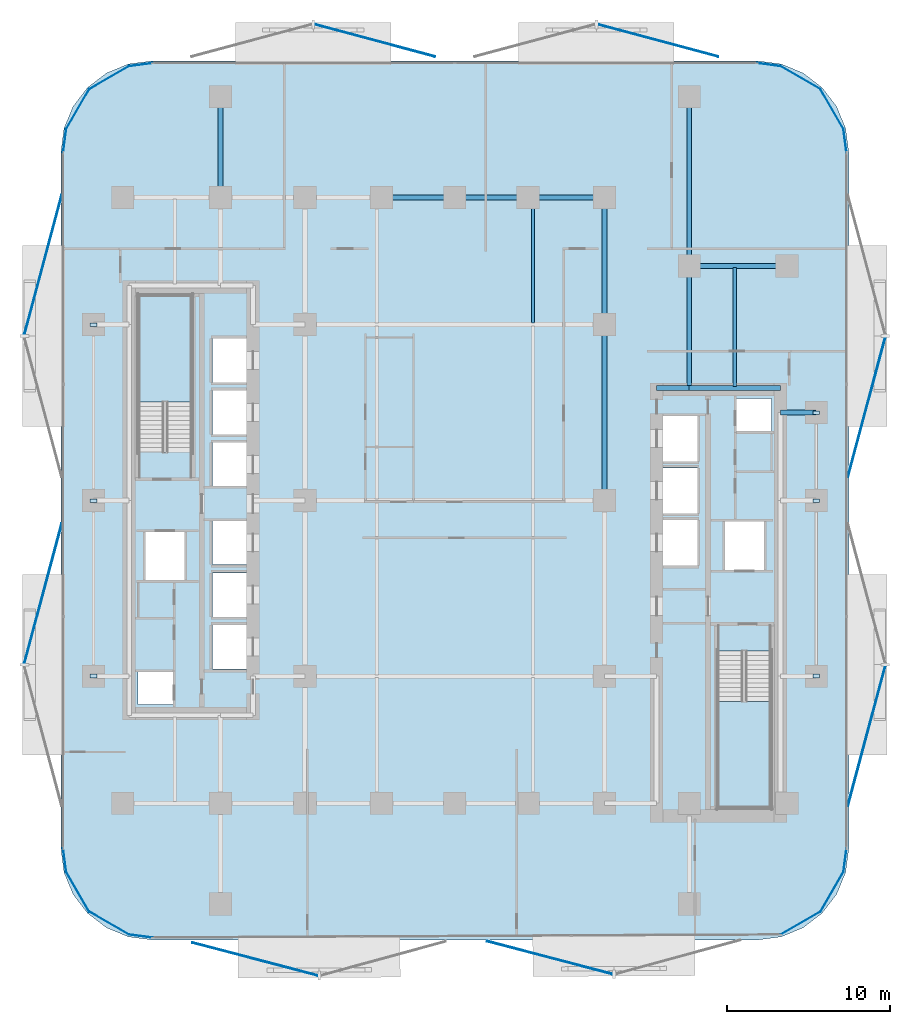
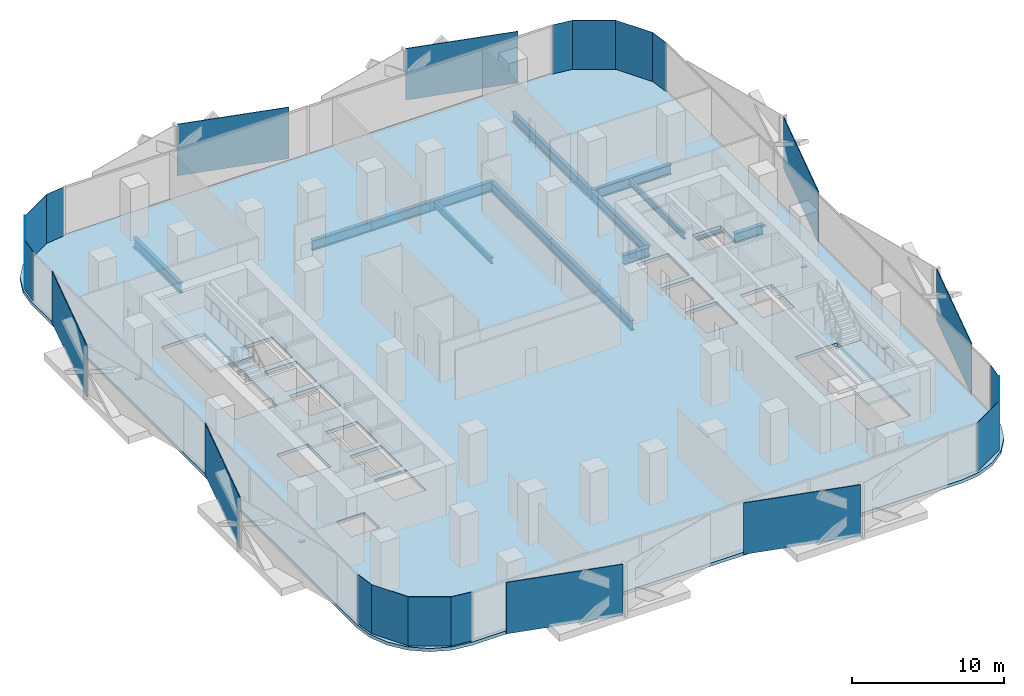
# One storey, part 2 of 16: 29 plates, 14 beams, 3 slabs, 2 elements without a shape of their own.
"""IFC4 building model written with IfcOpenShell, lengths in metres."""

from ifc_helpers import new_model, si_unit, direction, frame, origin, origin_2d, place, context, subcontext, project, spatial, polyline, rectangle, i_section, outline, extrude, material, layer, layer_set, material_profile, profile_set, type_object, element, aggregate, save


model = new_model("IFC4")

# Units and contexts
model_context = context("Model", 3, precision=1e-05, world=origin(), true_north=direction((0.0, 1.0)))
body_context = subcontext(model_context, "Body", "Model", "MODEL_VIEW")
ifc_project = project(units=[si_unit("LENGTHUNIT", "METRE"), si_unit("AREAUNIT", "SQUARE_METRE"), si_unit("VOLUMEUNIT", "CUBIC_METRE"), si_unit("PLANEANGLEUNIT", "RADIAN"), si_unit("MASSUNIT", "GRAM", prefix="KILO")], contexts=[model_context])

# Site, building, storey
site_placement = place(None, origin())
site = spatial("IfcSite", under=ifc_project, at=site_placement, CompositionType="ELEMENT")
building_placement = place(site_placement, origin())
building = spatial("IfcBuilding", under=site, at=building_placement, Name="Khairoan Windgate Tower", CompositionType="ELEMENT")
storey_placement = place(building_placement, frame((0.0, 0.0, 55.39990234375)))
storey = spatial("IfcBuildingStorey", under=building, at=storey_placement, Name="L13", CompositionType="ELEMENT", Elevation=55.39990234375)

# Beams
ifc_material_1 = material(Name="Steel S355", Category="steel")
ifc_material_profile_1 = material_profile(ifc_material_1, i_section(OverallWidth=0.300048828125, OverallDepth=0.800048828125, WebThickness=0.013916015625, FlangeThickness=0.02587890625, FilletRadius=0.028076171875, at=origin_2d()))
ifc_profile_set_1 = profile_set([ifc_material_profile_1], Name="Steel S355")
beam_type_1 = type_object("IfcBeamType", Name="Beam B-G2 H800x300x14x26", PredefinedType="BEAM", material=ifc_profile_set_1)
beam_1_placement = place(storey_placement, frame((20.0, 5.39990234375, -0.659912109375), z_axis=(1.0, 0.0, 0.0), x_axis=(0.0, 1.0, 0.0)))
element("IfcBeam", 1, at=beam_1_placement, inside=storey, type_object=beam_type_1, Name="L13 E-W Primary Girder 19", PredefinedType="BEAM", context=body_context, shape_type="SweptSolid", body=[
    extrude(i_section(OverallWidth=0.300048828125, OverallDepth=0.800048828125, WebThickness=0.013916015625, FlangeThickness=0.02587890625, FilletRadius=0.028076171875, at=origin_2d()), origin(), (0.0, 0.0, 1.0), 2.199951171875),
])
beam_2_placement = place(storey_placement, frame((12.39990234375, 6.89990234375, -0.659912109375), z_axis=(1.0, 0.0, 0.0), x_axis=(0.0, 1.0, 0.0)))
element("IfcBeam", 2, at=beam_2_placement, inside=storey, type_object=beam_type_1, Name="L13 E-W Primary Girder 20", PredefinedType="BEAM", context=body_context, shape_type="SweptSolid", body=[
    extrude(i_section(OverallWidth=0.300048828125, OverallDepth=0.800048828125, WebThickness=0.013916015625, FlangeThickness=0.02587890625, FilletRadius=0.028076171875, at=origin_2d()), origin(), (0.0, 0.0, 1.0), 2.0),
])
beam_3_placement = place(storey_placement, frame((14.39990234375, 6.89990234375, -0.659912109375), z_axis=(1.0, 0.0, 0.0), x_axis=(0.0, 1.0, 0.0)))
element("IfcBeam", 3, at=beam_3_placement, inside=storey, type_object=beam_type_1, Name="L13 E-W Primary Girder 21", PredefinedType="BEAM", context=body_context, shape_type="SweptSolid", body=[
    extrude(i_section(OverallWidth=0.300048828125, OverallDepth=0.800048828125, WebThickness=0.013916015625, FlangeThickness=0.02587890625, FilletRadius=0.028076171875, at=origin_2d()), origin(), (0.0, 0.0, 1.0), 5.60009765625),
])
beam_4_placement = place(storey_placement, frame((14.39990234375, 14.39990234375, -0.659912109375), z_axis=(1.0, 0.0, 0.0), x_axis=(0.0, 1.0, 0.0)))
element("IfcBeam", 4, at=beam_4_placement, inside=storey, type_object=beam_type_1, Name="L13 E-W Primary Girder 27", PredefinedType="BEAM", context=body_context, shape_type="SweptSolid", body=[
    extrude(i_section(OverallWidth=0.300048828125, OverallDepth=0.800048828125, WebThickness=0.013916015625, FlangeThickness=0.02587890625, FilletRadius=0.028076171875, at=origin_2d()), origin(), (0.0, 0.0, 1.0), 6.0),
])
for number, where, z_axis, x_axis, name in (
    (5, (-4.5, 18.60009765625, -0.659912109375), (1.0, 0.0, 0.0), (0.0, 1.0, 0.0), "L13 E-W Primary Girder 31"),
    (6, (0.0, 18.60009765625, -0.659912109375), (1.0, 0.0, 0.0), (0.0, 1.0, 0.0), "L13 E-W Primary Girder 32"),
):
    element("IfcBeam", number, at=place(storey_placement, frame(where, z_axis=z_axis, x_axis=x_axis)), inside=storey, type_object=beam_type_1, Name=name, PredefinedType="BEAM", context=body_context, shape_type="SweptSolid", body=[
        extrude(i_section(OverallWidth=0.300048828125, OverallDepth=0.800048828125, WebThickness=0.013916015625, FlangeThickness=0.02587890625, FilletRadius=0.028076171875, at=origin_2d()), origin(), (0.0, 0.0, 1.0), 4.5),
    ])
beam_5_placement = place(storey_placement, frame((4.5, 18.60009765625, -0.659912109375), z_axis=(1.0, 0.0, 0.0), x_axis=(0.0, 1.0, 0.0)))
element("IfcBeam", 7, at=beam_5_placement, inside=storey, type_object=beam_type_1, Name="L13 E-W Primary Girder 33", PredefinedType="BEAM", context=body_context, shape_type="SweptSolid", body=[
    extrude(i_section(OverallWidth=0.300048828125, OverallDepth=0.800048828125, WebThickness=0.013916015625, FlangeThickness=0.02587890625, FilletRadius=0.028076171875, at=origin_2d()), origin(), (0.0, 0.0, 1.0), 4.699951171875),
])
beam_6_placement = place(storey_placement, frame((-14.39990234375, 18.60009765625, -0.659912109375), z_axis=(0.0, 1.0, 0.0), x_axis=(-1.0, 0.0, 0.0)))
element("IfcBeam", 8, at=beam_6_placement, inside=storey, type_object=beam_type_1, Name="L13 N-S Primary Beam 43", PredefinedType="BEAM", context=body_context, shape_type="SweptSolid", body=[
    extrude(i_section(OverallWidth=0.300048828125, OverallDepth=0.800048828125, WebThickness=0.013916015625, FlangeThickness=0.02587890625, FilletRadius=0.028076171875, at=origin_2d()), origin(), (0.0, 0.0, 1.0), 6.199951171875),
])
beam_7_placement = place(storey_placement, frame((9.199951171875, 0.0, -0.659912109375), z_axis=(0.0, 1.0, 0.0), x_axis=(-1.0, 0.0, 0.0)))
element("IfcBeam", 9, at=beam_7_placement, inside=storey, type_object=beam_type_1, Name="L13 N-S Primary Beam 52", PredefinedType="BEAM", context=body_context, shape_type="SweptSolid", body=[
    extrude(i_section(OverallWidth=0.300048828125, OverallDepth=0.800048828125, WebThickness=0.013916015625, FlangeThickness=0.02587890625, FilletRadius=0.028076171875, at=origin_2d()), origin(), (0.0, 0.0, 1.0), 10.800048828125),
])
beam_8_placement = place(storey_placement, frame((9.199951171875, 10.800048828125, -0.659912109375), z_axis=(0.0, 1.0, 0.0), x_axis=(-1.0, 0.0, 0.0)))
element("IfcBeam", 10, at=beam_8_placement, inside=storey, type_object=beam_type_1, Name="L13 N-S Primary Beam 53", PredefinedType="BEAM", context=body_context, shape_type="SweptSolid", body=[
    extrude(i_section(OverallWidth=0.300048828125, OverallDepth=0.800048828125, WebThickness=0.013916015625, FlangeThickness=0.02587890625, FilletRadius=0.028076171875, at=origin_2d()), origin(), (0.0, 0.0, 1.0), 7.800048828125),
])
beam_9_placement = place(storey_placement, frame((14.39990234375, 6.89990234375, -0.659912109375), z_axis=(0.0, 1.0, 0.0), x_axis=(-1.0, 0.0, 0.0)))
element("IfcBeam", 11, at=beam_9_placement, inside=storey, type_object=beam_type_1, Name="L13 N-S Primary Beam 56", PredefinedType="BEAM", context=body_context, shape_type="SweptSolid", body=[
    extrude(i_section(OverallWidth=0.300048828125, OverallDepth=0.800048828125, WebThickness=0.013916015625, FlangeThickness=0.02587890625, FilletRadius=0.028076171875, at=origin_2d()), origin(), (0.0, 0.0, 1.0), 7.5),
])
beam_10_placement = place(storey_placement, frame((14.39990234375, 14.39990234375, -0.659912109375), z_axis=(0.0, 1.0, 0.0), x_axis=(-1.0, 0.0, 0.0)))
element("IfcBeam", 12, at=beam_10_placement, inside=storey, type_object=beam_type_1, Name="L13 N-S Primary Beam 57", PredefinedType="BEAM", context=body_context, shape_type="SweptSolid", body=[
    extrude(i_section(OverallWidth=0.300048828125, OverallDepth=0.800048828125, WebThickness=0.013916015625, FlangeThickness=0.02587890625, FilletRadius=0.028076171875, at=origin_2d()), origin(), (0.0, 0.0, 1.0), 10.400146484375),
])
ifc_material_2 = material(Name="Steel S355", Category="steel")
ifc_material_profile_2 = material_profile(ifc_material_2, i_section(OverallWidth=0.199951171875, OverallDepth=0.5, WebThickness=0.010009765625, FlangeThickness=0.01611328125, FilletRadius=0.02001953125, at=origin_2d()))
ifc_profile_set_2 = profile_set([ifc_material_profile_2], Name="Steel S355")
beam_type_2 = type_object("IfcBeamType", Name="Beam J-S2 H500x200x10x16", PredefinedType="JOIST", material=ifc_profile_set_2)
beam_11_placement = place(storey_placement, frame((4.800048828125, 10.889892578125, -0.510009765625), z_axis=(0.0, 1.0, 0.0), x_axis=(-1.0, 0.0, 0.0)))
element("IfcBeam", 13, at=beam_11_placement, inside=storey, type_object=beam_type_2, Name="L13 Secondary Floor Joist 10", PredefinedType="JOIST", context=body_context, shape_type="SweptSolid", body=[
    extrude(i_section(OverallWidth=0.199951171875, OverallDepth=0.5, WebThickness=0.010009765625, FlangeThickness=0.01611328125, FilletRadius=0.02001953125, at=origin_2d()), origin(), (0.0, 0.0, 1.0), 7.6201171875),
])
beam_12_placement = place(storey_placement, frame((17.199951171875, 6.989990234375, -0.510009765625), z_axis=(0.0, 1.0, 0.0), x_axis=(-1.0, 0.0, 0.0)))
element("IfcBeam", 14, at=beam_12_placement, inside=storey, type_object=beam_type_2, Name="L13 Secondary Floor Joist 11", PredefinedType="JOIST", context=body_context, shape_type="SweptSolid", body=[
    extrude(i_section(OverallWidth=0.199951171875, OverallDepth=0.5, WebThickness=0.010009765625, FlangeThickness=0.01611328125, FilletRadius=0.02001953125, at=origin_2d()), origin(), (0.0, 0.0, 1.0), 7.320068359375),
])

# Plates
ifc_material_3 = material(Name="Low-E Solar Control Laminated Glass", Category="glass")
ifc_layer_1 = layer(ifc_material_3, 0.030029296875, Name="Low-E Solar Control Laminated Glass")
ifc_layer_set_1 = layer_set([ifc_layer_1], Name="Low-E Solar Control Laminated Glass")
plate_type_1 = type_object("IfcPlateType", Name="Aerodynamic Wind-Corner Curved Glazing Plate", PredefinedType="USERDEFINED", material=ifc_layer_set_1)
plate_placement = place(storey_placement, frame((-19.302001953125, -26.766357421875, 0.000244140625), z_axis=(0.0, 0.0, 1.0), x_axis=(-0.991444861374, 0.13052619222, 0.0)))
element("IfcPlate", 15, at=plate_placement, inside=storey, type_object=plate_type_1, Name="L13 Aerodynamic Wind-Corner Curved Glazing Panel 2", ObjectType="GLAZING PANEL", PredefinedType="USERDEFINED", context=body_context, shape_type="SweptSolid", body=[
    extrude(rectangle(XDim=1.474365234375, YDim=0.028076171875, at=origin_2d()), origin(), (0.0, 0.0, 1.0), 3.93994140625),
])
for number, where, z_axis, x_axis, name in (
    (16, (-21.236328125, -25.96630859375, 0.000244140625), (0.0, 0.0, 1.0), (-0.866025403784, 0.5, 0.0), "L13 Aerodynamic Wind-Corner Curved Glazing Panel 3"),
    (17, (-23.16650390625, -24.03662109375, 0.000244140625), (0.0, 0.0, 1.0), (-0.5, 0.866025403784, 0.0), "L13 Aerodynamic Wind-Corner Curved Glazing Panel 4"),
):
    element("IfcPlate", number, at=place(storey_placement, frame(where, z_axis=z_axis, x_axis=x_axis)), inside=storey, type_object=plate_type_1, Name=name, ObjectType="GLAZING PANEL", PredefinedType="USERDEFINED", context=body_context, shape_type="SweptSolid", body=[
        extrude(rectangle(XDim=2.86572265625, YDim=0.028076171875, at=origin_2d()), origin(), (0.0, 0.0, 1.0), 3.93994140625),
    ])
for number, where, z_axis, x_axis, name in (
    (18, (-23.96630859375, -22.101806640625, 0.000244140625), (0.0, 0.0, 1.0), (-0.13052619222, 0.991444861374, 0.0), "L13 Aerodynamic Wind-Corner Curved Glazing Panel 5"),
    (19, (-23.96630859375, 22.101806640625, 0.000244140625), (0.0, 0.0, 1.0), (0.13052619222, 0.991444861374, 0.0), "L13 Aerodynamic Wind-Corner Curved Glazing Panel 7"),
):
    element("IfcPlate", number, at=place(storey_placement, frame(where, z_axis=z_axis, x_axis=x_axis)), inside=storey, type_object=plate_type_1, Name=name, ObjectType="GLAZING PANEL", PredefinedType="USERDEFINED", context=body_context, shape_type="SweptSolid", body=[
        extrude(rectangle(XDim=1.474365234375, YDim=0.028076171875, at=origin_2d()), origin(), (0.0, 0.0, 1.0), 3.93994140625),
    ])
for number, where, z_axis, x_axis, name in (
    (20, (-23.16650390625, 24.03662109375, 0.000244140625), (0.0, 0.0, 1.0), (0.5, 0.866025403784, 0.0), "L13 Aerodynamic Wind-Corner Curved Glazing Panel 8"),
    (21, (-21.236328125, 25.96630859375, 0.000244140625), (0.0, 0.0, 1.0), (0.866025403784, 0.5, 0.0), "L13 Aerodynamic Wind-Corner Curved Glazing Panel 9"),
):
    element("IfcPlate", number, at=place(storey_placement, frame(where, z_axis=z_axis, x_axis=x_axis)), inside=storey, type_object=plate_type_1, Name=name, ObjectType="GLAZING PANEL", PredefinedType="USERDEFINED", context=body_context, shape_type="SweptSolid", body=[
        extrude(rectangle(XDim=2.86572265625, YDim=0.028076171875, at=origin_2d()), origin(), (0.0, 0.0, 1.0), 3.93994140625),
    ])
for number, where, z_axis, x_axis, name in (
    (22, (-19.302001953125, 26.766357421875, 0.000244140625), (0.0, 0.0, 1.0), (0.991444861374, 0.13052619222, 0.0), "L13 Aerodynamic Wind-Corner Curved Glazing Panel 10"),
    (23, (19.302001953125, 26.766357421875, 0.000244140625), (0.0, 0.0, 1.0), (0.991444861374, -0.13052619222, 0.0), "L13 Aerodynamic Wind-Corner Curved Glazing Panel 12"),
):
    element("IfcPlate", number, at=place(storey_placement, frame(where, z_axis=z_axis, x_axis=x_axis)), inside=storey, type_object=plate_type_1, Name=name, ObjectType="GLAZING PANEL", PredefinedType="USERDEFINED", context=body_context, shape_type="SweptSolid", body=[
        extrude(rectangle(XDim=1.474365234375, YDim=0.028076171875, at=origin_2d()), origin(), (0.0, 0.0, 1.0), 3.93994140625),
    ])
for number, where, z_axis, x_axis, name in (
    (24, (21.236328125, 25.96630859375, 0.000244140625), (0.0, 0.0, 1.0), (0.866025403784, -0.5, 0.0), "L13 Aerodynamic Wind-Corner Curved Glazing Panel 13"),
    (25, (23.16650390625, 24.03662109375, 0.000244140625), (0.0, 0.0, 1.0), (0.5, -0.866025403784, 0.0), "L13 Aerodynamic Wind-Corner Curved Glazing Panel 14"),
):
    element("IfcPlate", number, at=place(storey_placement, frame(where, z_axis=z_axis, x_axis=x_axis)), inside=storey, type_object=plate_type_1, Name=name, ObjectType="GLAZING PANEL", PredefinedType="USERDEFINED", context=body_context, shape_type="SweptSolid", body=[
        extrude(rectangle(XDim=2.86572265625, YDim=0.028076171875, at=origin_2d()), origin(), (0.0, 0.0, 1.0), 3.93994140625),
    ])
for number, where, z_axis, x_axis, name in (
    (26, (23.96630859375, 22.101806640625, 0.000244140625), (0.0, 0.0, 1.0), (0.13052619222, -0.991444861374, 0.0), "L13 Aerodynamic Wind-Corner Curved Glazing Panel 15"),
    (27, (23.96630859375, -22.101806640625, 0.000244140625), (0.0, 0.0, 1.0), (-0.13052619222, -0.991444861374, 0.0), "L13 Aerodynamic Wind-Corner Curved Glazing Panel 17"),
):
    element("IfcPlate", number, at=place(storey_placement, frame(where, z_axis=z_axis, x_axis=x_axis)), inside=storey, type_object=plate_type_1, Name=name, ObjectType="GLAZING PANEL", PredefinedType="USERDEFINED", context=body_context, shape_type="SweptSolid", body=[
        extrude(rectangle(XDim=1.474365234375, YDim=0.028076171875, at=origin_2d()), origin(), (0.0, 0.0, 1.0), 3.93994140625),
    ])
for number, where, z_axis, x_axis, name in (
    (28, (23.16650390625, -24.03662109375, 0.000244140625), (0.0, 0.0, 1.0), (-0.5, -0.866025403784, 0.0), "L13 Aerodynamic Wind-Corner Curved Glazing Panel 18"),
    (29, (21.236328125, -25.96630859375, 0.000244140625), (0.0, 0.0, 1.0), (-0.866025403784, -0.5, 0.0), "L13 Aerodynamic Wind-Corner Curved Glazing Panel 19"),
):
    element("IfcPlate", number, at=place(storey_placement, frame(where, z_axis=z_axis, x_axis=x_axis)), inside=storey, type_object=plate_type_1, Name=name, ObjectType="GLAZING PANEL", PredefinedType="USERDEFINED", context=body_context, shape_type="SweptSolid", body=[
        extrude(rectangle(XDim=2.86572265625, YDim=0.028076171875, at=origin_2d()), origin(), (0.0, 0.0, 1.0), 3.93994140625),
    ])
ifc_material_4 = material(Name="Steel S355", Category="steel")
ifc_layer_2 = layer(ifc_material_4, 0.0400390625, Name="Steel S355")
ifc_layer_set_2 = layer_set([ifc_layer_2], Name="Steel S355")
plate_type_2 = type_object("IfcPlateType", Name="Hollow Section End-Cap Plate PL-CAP40", PredefinedType="SHEET", material=ifc_layer_set_2)
for number, where, z_axis, x_axis, name in (
    (30, (-22.199951171875, -10.784912109375, -0.47998046875), (0.0, 0.0, 1.0), (0.0, 1.0, 0.0), "BM-SP-L13-034 steel end-cap plate 1"),
    (31, (-22.199951171875, -0.014892578125, -0.47998046875), (0.0, 0.0, 1.0), (0.0, 1.0, 0.0), "BM-SP-L13-034 steel end-cap plate 2"),
    (32, (-22.199951171875, 10.784912109375, -0.47998046875), (0.0, 0.0, 1.0), (0.0, 1.0, 0.0), "BM-SP-L13-035 steel end-cap plate 2"),
    (33, (22.199951171875, -10.784912109375, -0.47998046875), (0.0, 0.0, 1.0), (0.0, 1.0, 0.0), "BM-SP-L13-061 steel end-cap plate 1"),
    (34, (22.199951171875, -0.014892578125, -0.47998046875), (0.0, 0.0, 1.0), (0.0, 1.0, 0.0), "BM-SP-L13-061 steel end-cap plate 2"),
    (35, (22.199951171875, 5.385009765625, -0.47998046875), (0.0, 0.0, 1.0), (0.0, 1.0, 0.0), "BM-SP-L13-062 steel end-cap plate 2"),
):
    element("IfcPlate", number, at=place(storey_placement, frame(where, z_axis=z_axis, x_axis=x_axis)), inside=storey, type_object=plate_type_2, Name=name, PredefinedType="SHEET", context=body_context, shape_type="SweptSolid", body=[
        extrude(rectangle(XDim=0.219970703125, YDim=0.419921875, at=origin_2d()), origin(), (0.0, 0.0, 1.0), 0.0400390625),
    ])
ifc_material_5 = material(Name="Anodised Bronze Aluminium 6063-T6", Category="aluminium")
ifc_layer_3 = layer(ifc_material_5, 0.054931640625, Name="Anodised Bronze Aluminium 6063-T6")
ifc_layer_set_3 = layer_set([ifc_layer_3], Name="Anodised Bronze Aluminium 6063-T6")
plate_type_3 = type_object("IfcPlateType", Name="Perforated Bronze Solar Screen Panel BSP-1", PredefinedType="USERDEFINED", material=ifc_layer_set_3)
for number, where, z_axis, x_axis, name in (
    (36, (5.831787109375, -28.0908203125, -0.099609375), (0.0, 0.0, 1.0), (-0.967179115616, 0.254095569259, 0.0), "L13 Perforated Bronze Solar Screen Panel 57R"),
    (37, (-12.27001953125, -28.1787109375, -0.099609375), (0.0, 0.0, 1.0), (-0.967179115616, 0.254095569259, 0.0), "L13 Perforated Bronze Solar Screen Panel 58R"),
):
    element("IfcPlate", number, at=place(storey_placement, frame(where, z_axis=z_axis, x_axis=x_axis)), inside=storey, type_object=plate_type_3, Name=name, ObjectType="SCREEN", PredefinedType="USERDEFINED", context=body_context, shape_type="SweptSolid", body=[
        extrude(rectangle(XDim=7.965087890625, YDim=0.054931640625, at=origin_2d()), origin(), (0.0, 0.0, 1.0), 4.139892578125),
    ])
for number, where, z_axis, x_axis, name in (
    (38, (-25.290283203125, -5.71484375, -0.099609375), (0.0, 0.0, 1.0), (0.258819045103, 0.965925826289, 0.0), "L13 Perforated Bronze Solar Screen Panel 59R"),
    (39, (-25.290283203125, 14.47607421875, -0.099609375), (0.0, 0.0, 1.0), (0.258819045103, 0.965925826289, 0.0), "L13 Perforated Bronze Solar Screen Panel 60R"),
):
    element("IfcPlate", number, at=place(storey_placement, frame(where, z_axis=z_axis, x_axis=x_axis)), inside=storey, type_object=plate_type_3, Name=name, ObjectType="SCREEN", PredefinedType="USERDEFINED", context=body_context, shape_type="SweptSolid", body=[
        extrude(rectangle(XDim=8.884033203125, YDim=0.054931640625, at=origin_2d()), origin(), (0.0, 0.0, 1.0), 4.139892578125),
    ])
for number, where, z_axis, x_axis, name in (
    (40, (-4.909912109375, 28.249755859375, -0.099609375), (0.0, 0.0, 1.0), (0.965925826289, -0.258819045103, 0.0), "L13 Perforated Bronze Solar Screen Panel 61R"),
    (41, (12.48095703125, 28.249755859375, -0.099609375), (0.0, 0.0, 1.0), (0.965925826289, -0.258819045103, 0.0), "L13 Perforated Bronze Solar Screen Panel 62R"),
):
    element("IfcPlate", number, at=place(storey_placement, frame(where, z_axis=z_axis, x_axis=x_axis)), inside=storey, type_object=plate_type_3, Name=name, ObjectType="SCREEN", PredefinedType="USERDEFINED", context=body_context, shape_type="SweptSolid", body=[
        extrude(rectangle(XDim=7.652099609375, YDim=0.054931640625, at=origin_2d()), origin(), (0.0, 0.0, 1.0), 4.139892578125),
    ])
for number, where, z_axis, x_axis, name in (
    (42, (25.290283203125, 5.71484375, -0.099609375), (0.0, 0.0, 1.0), (-0.258819045103, -0.965925826289, 0.0), "L13 Perforated Bronze Solar Screen Panel 63R"),
    (43, (25.290283203125, -14.47607421875, -0.099609375), (0.0, 0.0, 1.0), (-0.258819045103, -0.965925826289, 0.0), "L13 Perforated Bronze Solar Screen Panel 64R"),
):
    element("IfcPlate", number, at=place(storey_placement, frame(where, z_axis=z_axis, x_axis=x_axis)), inside=storey, type_object=plate_type_3, Name=name, ObjectType="SCREEN", PredefinedType="USERDEFINED", context=body_context, shape_type="SweptSolid", body=[
        extrude(rectangle(XDim=8.884033203125, YDim=0.054931640625, at=origin_2d()), origin(), (0.0, 0.0, 1.0), 4.139892578125),
    ])

# Stair, slab
ifc_material_6 = material(Name="Concrete C40/50", Category="concrete")
stair_type = type_object("IfcStairType", Name="Tower Core Dog-Leg Stair ST-T1 1560mm", PredefinedType="HALF_TURN_STAIR", material=ifc_material_6)
stair_1_placement = place(storey_placement, origin())
stair_1 = element("IfcStair", 44, at=stair_1_placement, inside=storey, type_object=stair_type, Name="L13 Stair ST1", PredefinedType="HALF_TURN_STAIR")
ifc_material_7 = material(Name="Concrete C40/50", Category="concrete")
ifc_layer_4 = layer(ifc_material_7, 0.199951171875, Name="Concrete C40/50")
ifc_layer_set_4 = layer_set([ifc_layer_4], Name="Concrete C40/50")
slab_type_1 = type_object("IfcSlabType", Name="Reinforced Concrete Stair Landing Slab STL-200", PredefinedType="LANDING", material=ifc_layer_set_4)
slab_1_placement = place(storey_placement, frame((0.0, 0.0, 1.900146484375)))
slab_1 = element("IfcSlab", 45, at=slab_1_placement, type_object=slab_type_1, Name="ST1 landing 1", PredefinedType="LANDING", context=body_context, shape_type="SweptSolid", body=[
    extrude(outline(polyline([(16.14990234375, -12.340087890625), (16.14990234375, -18.89990234375), (19.419921875, -18.89990234375), (19.419921875, -12.340087890625), (16.14990234375, -12.340087890625)])), origin(), (0.0, 0.0, 1.0), 0.199951171875),
])
aggregate(stair_1, [slab_1])

stair_2_placement = place(storey_placement, origin())
stair_2 = element("IfcStair", 46, at=stair_2_placement, inside=storey, type_object=stair_type, Name="L13 Stair ST2", PredefinedType="HALF_TURN_STAIR")
slab_2_placement = place(storey_placement, frame((0.0, 0.0, 1.900146484375)))
slab_2 = element("IfcSlab", 47, at=slab_2_placement, type_object=slab_type_1, Name="ST2 landing 1", PredefinedType="LANDING", context=body_context, shape_type="SweptSolid", body=[
    extrude(outline(polyline([(-16.14990234375, 6.0400390625), (-16.14990234375, 12.60009765625), (-19.419921875, 12.60009765625), (-19.419921875, 6.0400390625), (-16.14990234375, 6.0400390625)])), origin(), (0.0, 0.0, 1.0), 0.199951171875),
])
aggregate(stair_2, [slab_2])

# Slab
ifc_material_8 = material(Name="Concrete C40/50", Category="concrete")
ifc_layer_5 = layer(ifc_material_8, 0.260009765625, Name="Concrete C40/50")
ifc_layer_set_5 = layer_set([ifc_layer_5], Name="Concrete C40/50")
slab_type_2 = type_object("IfcSlabType", Name="Tower Composite Floor Slab FS2 260mm", PredefinedType="FLOOR", material=ifc_layer_set_5)
slab_3_placement = place(storey_placement, frame((0.0, 0.0, -0.260009765625)))
element("IfcSlab", 48, at=slab_3_placement, inside=storey, type_object=slab_type_2, Name="L13 Structural Floor Slab", PredefinedType="FLOOR", context=body_context, shape_type="SweptSolid", body=[
    extrude(outline(polyline([(18.60009765625, -27.0), (20.04931640625, -26.80908203125), (21.39990234375, -26.249755859375), (22.559814453125, -25.35986328125), (23.44970703125, -24.199951171875), (24.00927734375, -22.849365234375), (24.199951171875, -21.39990234375), (24.199951171875, 21.39990234375), (24.00927734375, 22.849365234375), (23.44970703125, 24.199951171875), (22.559814453125, 25.35986328125), (21.39990234375, 26.249755859375), (20.04931640625, 26.80908203125), (18.60009765625, 27.0), (-18.60009765625, 27.0), (-20.04931640625, 26.80908203125), (-21.39990234375, 26.249755859375), (-22.559814453125, 25.35986328125), (-23.44970703125, 24.199951171875), (-24.00927734375, 22.849365234375), (-24.199951171875, 21.39990234375), (-24.199951171875, -21.39990234375), (-24.00927734375, -22.849365234375), (-23.44970703125, -24.199951171875), (-22.559814453125, -25.35986328125), (-21.39990234375, -26.249755859375), (-20.04931640625, -26.80908203125), (-18.60009765625, -27.0), (18.60009765625, -27.0)]), holes=[polyline([(16.14990234375, -9.260009765625), (16.14990234375, -18.89990234375), (19.419921875, -18.89990234375), (19.419921875, -9.260009765625), (16.14990234375, -9.260009765625)]), polyline([(-16.14990234375, 2.9599609375), (-16.14990234375, 12.60009765625), (-19.419921875, 12.60009765625), (-19.419921875, 2.9599609375), (-16.14990234375, 2.9599609375)]), polyline([(-14.89990234375, 7.25), (-12.5, 7.25), (-12.5, 9.949951171875), (-14.89990234375, 9.949951171875), (-14.89990234375, 7.25)]), polyline([(-14.89990234375, 4.050048828125), (-12.5, 4.050048828125), (-12.5, 6.75), (-14.89990234375, 6.75), (-14.89990234375, 4.050048828125)]), polyline([(-14.89990234375, 0.85009765625), (-12.5, 0.85009765625), (-12.5, 3.550048828125), (-14.89990234375, 3.550048828125), (-14.89990234375, 0.85009765625)]), polyline([(-14.89990234375, -3.949951171875), (-12.5, -3.949951171875), (-12.5, -1.25), (-14.89990234375, -1.25), (-14.89990234375, -3.949951171875)]), polyline([(-14.89990234375, -7.14990234375), (-12.5, -7.14990234375), (-12.5, -4.449951171875), (-14.89990234375, -4.449951171875), (-14.89990234375, -7.14990234375)]), polyline([(-14.89990234375, -10.35009765625), (-12.5, -10.35009765625), (-12.5, -7.64990234375), (-14.89990234375, -7.64990234375), (-14.89990234375, -10.35009765625)]), polyline([(12.5, 2.39990234375), (14.89990234375, 2.39990234375), (14.89990234375, 5.199951171875), (12.5, 5.199951171875), (12.5, 2.39990234375)]), polyline([(12.5, -0.800048828125), (14.89990234375, -0.800048828125), (14.89990234375, 2.0), (12.5, 2.0), (12.5, -0.800048828125)]), polyline([(12.5, -4.0), (14.89990234375, -4.0), (14.89990234375, -1.199951171875), (12.5, -1.199951171875), (12.5, -4.0)]), polyline([(16.60009765625, -4.300048828125), (19.0, -4.300048828125), (19.0, -1.300048828125), (16.60009765625, -1.300048828125), (16.60009765625, -4.300048828125)]), polyline([(-19.0, -4.89990234375), (-16.60009765625, -4.89990234375), (-16.60009765625, -1.89990234375), (-19.0, -1.89990234375), (-19.0, -4.89990234375)]), polyline([(-19.449951171875, -12.550048828125), (-17.31005859375, -12.550048828125), (-17.31005859375, -10.550048828125), (-19.449951171875, -10.550048828125), (-19.449951171875, -12.550048828125)]), polyline([(17.31005859375, 4.25), (19.449951171875, 4.25), (19.449951171875, 6.25), (17.31005859375, 6.25), (17.31005859375, 4.25)])]), origin(), (0.0, 0.0, 1.0), 0.260009765625),
])

save(model, "model.ifc")
